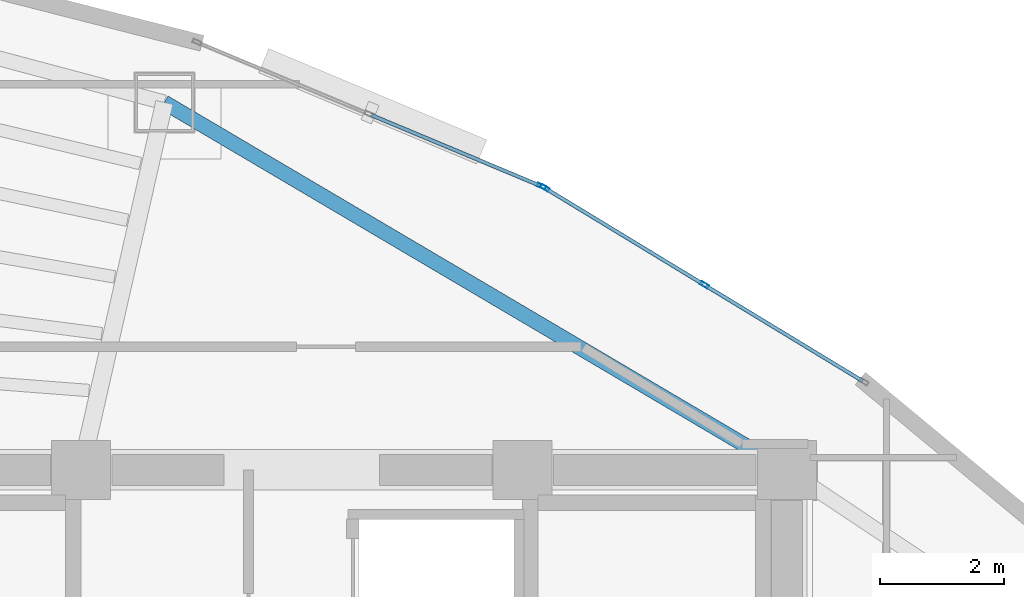
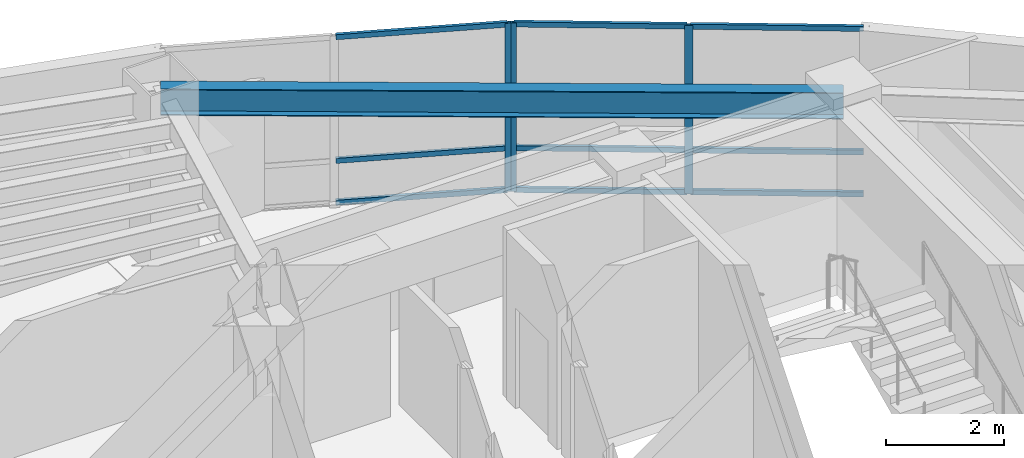
# One storey, part 10 of 15: 12 members, 1 beam, 2 elements without a shape of their own.
"""IFC4 building model written with IfcOpenShell, lengths in metres."""

from ifc_helpers import new_model, si_unit, direction, frame, origin, origin_2d, place, context, subcontext, project, spatial, hollow_rectangle, i_section, extrude, material, layer, layer_set, material_profile, profile_set, type_object, element, aggregate, save


model = new_model("IFC4")

# Units and contexts
model_context = context("Model", 3, precision=1e-05, world=origin(), true_north=direction((0.0, 1.0)))
body_context = subcontext(model_context, "Body", "Model", "MODEL_VIEW")
ifc_project = project(units=[si_unit("LENGTHUNIT", "METRE"), si_unit("AREAUNIT", "SQUARE_METRE"), si_unit("VOLUMEUNIT", "CUBIC_METRE"), si_unit("PLANEANGLEUNIT", "RADIAN"), si_unit("MASSUNIT", "GRAM", prefix="KILO")], contexts=[model_context])

# Site, building, storey
site_placement = place(None, origin())
site = spatial("IfcSite", under=ifc_project, at=site_placement, CompositionType="ELEMENT")
building_placement = place(site_placement, origin())
building = spatial("IfcBuilding", under=site, at=building_placement, Name="Menara Vayukalpa", CompositionType="ELEMENT")
storey_placement = place(building_placement, frame((0.0, 0.0, 184.080078125)))
storey = spatial("IfcBuildingStorey", under=building, at=storey_placement, Name="L46", CompositionType="ELEMENT", Elevation=184.080078125)

# Beam
ifc_material_1 = material(Name="Steel S355", Category="steel")
ifc_material_profile_1 = material_profile(ifc_material_1, i_section(OverallWidth=0.239990234375, OverallDepth=0.550048828125, WebThickness=0.010986328125, FlangeThickness=0.01904296875, at=origin_2d()), Name="WF 550x240x11x19")
ifc_profile_set_1 = profile_set([ifc_material_profile_1], Name="Steel S355")
beam_type = type_object("IfcBeamType", Name="BM-SP2", PredefinedType="SPANDREL", material=ifc_profile_set_1)
beam_placement = place(storey_placement, frame((33.39990234375, 26.800048828125, 3.224853515625), z_axis=(-0.861184403346, 0.508292655302, 0.0), x_axis=(-0.508292655302, -0.861184403346, 0.0)))
element("IfcBeam", 1, at=beam_placement, inside=storey, type_object=beam_type, Name="L46 Perimeter Spandrel Beam SP02", PredefinedType="SPANDREL", context=body_context, shape_type="SweptSolid", body=[
    extrude(i_section(OverallWidth=0.239990234375, OverallDepth=0.550048828125, WebThickness=0.010986328125, FlangeThickness=0.01904296875, at=origin_2d()), origin(), (0.0, 0.0, 1.0), 11.6240234375),
])

# Curtain wall, members
ifc_material_2 = material(Name="Anodised Terracotta Aluminium Alloy 6063-T6", Category="masonry")
ifc_layer = layer(ifc_material_2, 0.139892578125)
ifc_layer_set = layer_set([ifc_layer], Name="Anodised Terracotta Aluminium Alloy 6063-T6")
curtain_wall_type = type_object("IfcCurtainWallType", Name="CW-CW5", PredefinedType="USERDEFINED", material=ifc_layer_set)
curtain_wall_1_placement = place(storey_placement, origin())
curtain_wall_1 = element("IfcCurtainWall", 2, at=curtain_wall_1_placement, inside=storey, type_object=curtain_wall_type, Name="L46 High Rise Tapered Curtain Wall CW5 04", ObjectType="UNITISED", PredefinedType="USERDEFINED")
ifc_material_3 = material(Name="Anodised Terracotta Aluminium Alloy 6063-T6", Category="masonry")
ifc_material_profile_2 = material_profile(ifc_material_3, hollow_rectangle(XDim=0.06005859375, YDim=0.139892578125, WallThickness=0.00341796875, at=origin_2d()), Name="ALU 60x140x3.5")
ifc_profile_set_2 = profile_set([ifc_material_profile_2], Name="Anodised Terracotta Aluminium Alloy 6063-T6")
member_type_1 = type_object("IfcMemberType", Name="CWM-CW5", PredefinedType="MULLION", material=ifc_profile_set_2)
member_1_placement = place(storey_placement, frame((32.075439453125, 29.773681640625, 0.0), z_axis=(0.0, 0.0, 1.0), x_axis=(-0.519179911779, -0.854664974832, 0.0)))
member_1 = element("IfcMember", 3, at=member_1_placement, type_object=member_type_1, Name="CW5 mullion 2", PredefinedType="MULLION", context=body_context, shape_type="SweptSolid", body=[
    extrude(hollow_rectangle(XDim=0.06005859375, YDim=0.139892578125, WallThickness=0.00341796875, at=origin_2d()), origin(), (0.0, 0.0, 1.0), 3.5),
])
member_2_placement = place(storey_placement, frame((29.509521484375, 31.33251953125, 0.0), z_axis=(0.0, 0.0, 1.0), x_axis=(-0.519179911779, -0.854664974832, 0.0)))
member_2 = element("IfcMember", 4, at=member_2_placement, type_object=member_type_1, Name="CW5 mullion 3", PredefinedType="MULLION", context=body_context, shape_type="SweptSolid", body=[
    extrude(hollow_rectangle(XDim=0.06005859375, YDim=0.139892578125, WallThickness=0.00341796875, at=origin_2d()), origin(), (0.0, 0.0, 1.0), 3.5),
])

# Curtain wall, member
curtain_wall_2_placement = place(storey_placement, origin())
curtain_wall_2 = element("IfcCurtainWall", 5, at=curtain_wall_2_placement, inside=storey, type_object=curtain_wall_type, Name="L46 High Rise Tapered Curtain Wall CW5 05", ObjectType="UNITISED", PredefinedType="USERDEFINED")
member_3_placement = place(storey_placement, frame((29.4560546875, 31.359619140625, 0.0), z_axis=(0.0, 0.0, 1.0), x_axis=(-0.385902834406, -0.922539431351, 0.0)))
member_3 = element("IfcMember", 6, at=member_3_placement, type_object=member_type_1, Name="CW5 mullion 1", PredefinedType="MULLION", context=body_context, shape_type="SweptSolid", body=[
    extrude(hollow_rectangle(XDim=0.06005859375, YDim=0.139892578125, WallThickness=0.00341796875, at=origin_2d()), origin(), (0.0, 0.0, 1.0), 3.5),
])

# Member
ifc_material_4 = material(Name="Anodised Terracotta Aluminium Alloy 6063-T6", Category="masonry")
ifc_material_profile_3 = material_profile(ifc_material_4, hollow_rectangle(XDim=0.06005859375, YDim=0.10498046875, WallThickness=0.0029296875, at=origin_2d()), Name="ALU 60x105x3")
ifc_profile_set_3 = profile_set([ifc_material_profile_3], Name="Anodised Terracotta Aluminium Alloy 6063-T6")
member_type_2 = type_object("IfcMemberType", Name="CWT-CW5", PredefinedType="USERDEFINED", material=ifc_profile_set_3)
member_4_placement = place(storey_placement, frame((34.615966796875, 28.23046875, 0.030029296875), z_axis=(-0.854683649113, 0.519149169255, 0.0), x_axis=(-0.519149169255, -0.854683649113, 0.0)))
member_4 = element("IfcMember", 7, at=member_4_placement, type_object=member_type_2, Name="CW5 transom 1.1", ObjectType="TRANSOM", PredefinedType="USERDEFINED", context=body_context, shape_type="SweptSolid", body=[
    extrude(hollow_rectangle(XDim=0.06005859375, YDim=0.10498046875, WallThickness=0.0029296875, at=origin_2d()), origin(), (0.0, 0.0, 1.0), 2.9423828125),
])

member_5_placement = place(storey_placement, frame((34.615966796875, 28.23046875, 0.89990234375), z_axis=(-0.854683649113, 0.519149169255, 0.0), x_axis=(-0.519149169255, -0.854683649113, 0.0)))
member_5 = element("IfcMember", 8, at=member_5_placement, type_object=member_type_2, Name="CW5 transom 1.2", ObjectType="TRANSOM", PredefinedType="USERDEFINED", context=body_context, shape_type="SweptSolid", body=[
    extrude(hollow_rectangle(XDim=0.06005859375, YDim=0.10498046875, WallThickness=0.0029296875, at=origin_2d()), origin(), (0.0, 0.0, 1.0), 2.9423828125),
])

member_6_placement = place(storey_placement, frame((34.615966796875, 28.23046875, 3.469970703125), z_axis=(-0.854683649113, 0.519149169255, 0.0), x_axis=(-0.519149169255, -0.854683649113, 0.0)))
member_6 = element("IfcMember", 9, at=member_6_placement, type_object=member_type_2, Name="CW5 transom 1.3", ObjectType="TRANSOM", PredefinedType="USERDEFINED", context=body_context, shape_type="SweptSolid", body=[
    extrude(hollow_rectangle(XDim=0.06005859375, YDim=0.10498046875, WallThickness=0.0029296875, at=origin_2d()), origin(), (0.0, 0.0, 1.0), 2.9423828125),
])

member_7_placement = place(storey_placement, frame((32.0498046875, 29.789306640625, 0.030029296875), z_axis=(-0.85466128475, 0.51918598628, 0.0), x_axis=(-0.51918598628, -0.85466128475, 0.0)))
member_7 = element("IfcMember", 10, at=member_7_placement, type_object=member_type_2, Name="CW5 transom 2.1", ObjectType="TRANSOM", PredefinedType="USERDEFINED", context=body_context, shape_type="SweptSolid", body=[
    extrude(hollow_rectangle(XDim=0.06005859375, YDim=0.10498046875, WallThickness=0.0029296875, at=origin_2d()), origin(), (0.0, 0.0, 1.0), 2.9423828125),
])

member_8_placement = place(storey_placement, frame((32.0498046875, 29.789306640625, 0.89990234375), z_axis=(-0.85466128475, 0.51918598628, 0.0), x_axis=(-0.51918598628, -0.85466128475, 0.0)))
member_8 = element("IfcMember", 11, at=member_8_placement, type_object=member_type_2, Name="CW5 transom 2.2", ObjectType="TRANSOM", PredefinedType="USERDEFINED", context=body_context, shape_type="SweptSolid", body=[
    extrude(hollow_rectangle(XDim=0.06005859375, YDim=0.10498046875, WallThickness=0.0029296875, at=origin_2d()), origin(), (0.0, 0.0, 1.0), 2.9423828125),
])

member_9_placement = place(storey_placement, frame((32.0498046875, 29.789306640625, 3.469970703125), z_axis=(-0.85466128475, 0.51918598628, 0.0), x_axis=(-0.51918598628, -0.85466128475, 0.0)))
member_9 = element("IfcMember", 12, at=member_9_placement, type_object=member_type_2, Name="CW5 transom 2.3", ObjectType="TRANSOM", PredefinedType="USERDEFINED", context=body_context, shape_type="SweptSolid", body=[
    extrude(hollow_rectangle(XDim=0.06005859375, YDim=0.10498046875, WallThickness=0.0029296875, at=origin_2d()), origin(), (0.0, 0.0, 1.0), 2.9423828125),
])

aggregate(curtain_wall_1, [member_1, member_2, member_4, member_5, member_6, member_7, member_8, member_9])

member_10_placement = place(storey_placement, frame((29.428466796875, 31.371337890625, 0.030029296875), z_axis=(-0.922543360613, 0.385893440976, 0.0), x_axis=(-0.385893440976, -0.922543360613, 0.0)))
member_10 = element("IfcMember", 13, at=member_10_placement, type_object=member_type_2, Name="CW5 transom 1.1", ObjectType="TRANSOM", PredefinedType="USERDEFINED", context=body_context, shape_type="SweptSolid", body=[
    extrude(hollow_rectangle(XDim=0.06005859375, YDim=0.10498046875, WallThickness=0.0029296875, at=origin_2d()), origin(), (0.0, 0.0, 1.0), 2.942626953125),
])

member_11_placement = place(storey_placement, frame((29.428466796875, 31.371337890625, 0.89990234375), z_axis=(-0.922543360613, 0.385893440976, 0.0), x_axis=(-0.385893440976, -0.922543360613, 0.0)))
member_11 = element("IfcMember", 14, at=member_11_placement, type_object=member_type_2, Name="CW5 transom 1.2", ObjectType="TRANSOM", PredefinedType="USERDEFINED", context=body_context, shape_type="SweptSolid", body=[
    extrude(hollow_rectangle(XDim=0.06005859375, YDim=0.10498046875, WallThickness=0.0029296875, at=origin_2d()), origin(), (0.0, 0.0, 1.0), 2.942626953125),
])

member_12_placement = place(storey_placement, frame((29.428466796875, 31.371337890625, 3.469970703125), z_axis=(-0.922543360613, 0.385893440976, 0.0), x_axis=(-0.385893440976, -0.922543360613, 0.0)))
member_12 = element("IfcMember", 15, at=member_12_placement, type_object=member_type_2, Name="CW5 transom 1.3", ObjectType="TRANSOM", PredefinedType="USERDEFINED", context=body_context, shape_type="SweptSolid", body=[
    extrude(hollow_rectangle(XDim=0.06005859375, YDim=0.10498046875, WallThickness=0.0029296875, at=origin_2d()), origin(), (0.0, 0.0, 1.0), 2.942626953125),
])

aggregate(curtain_wall_2, [member_3, member_10, member_11, member_12])

save(model, "model.ifc")
